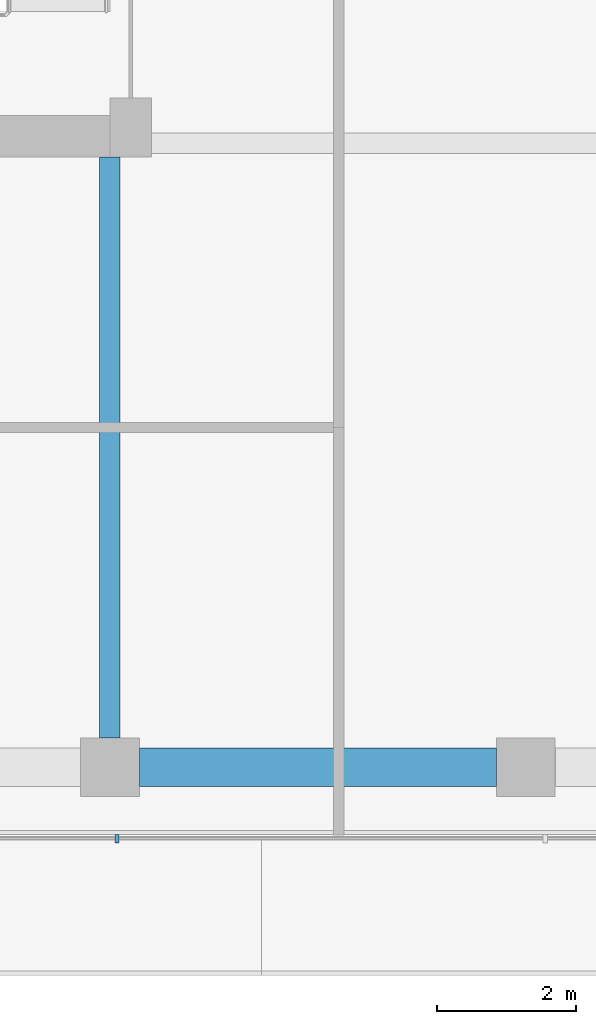
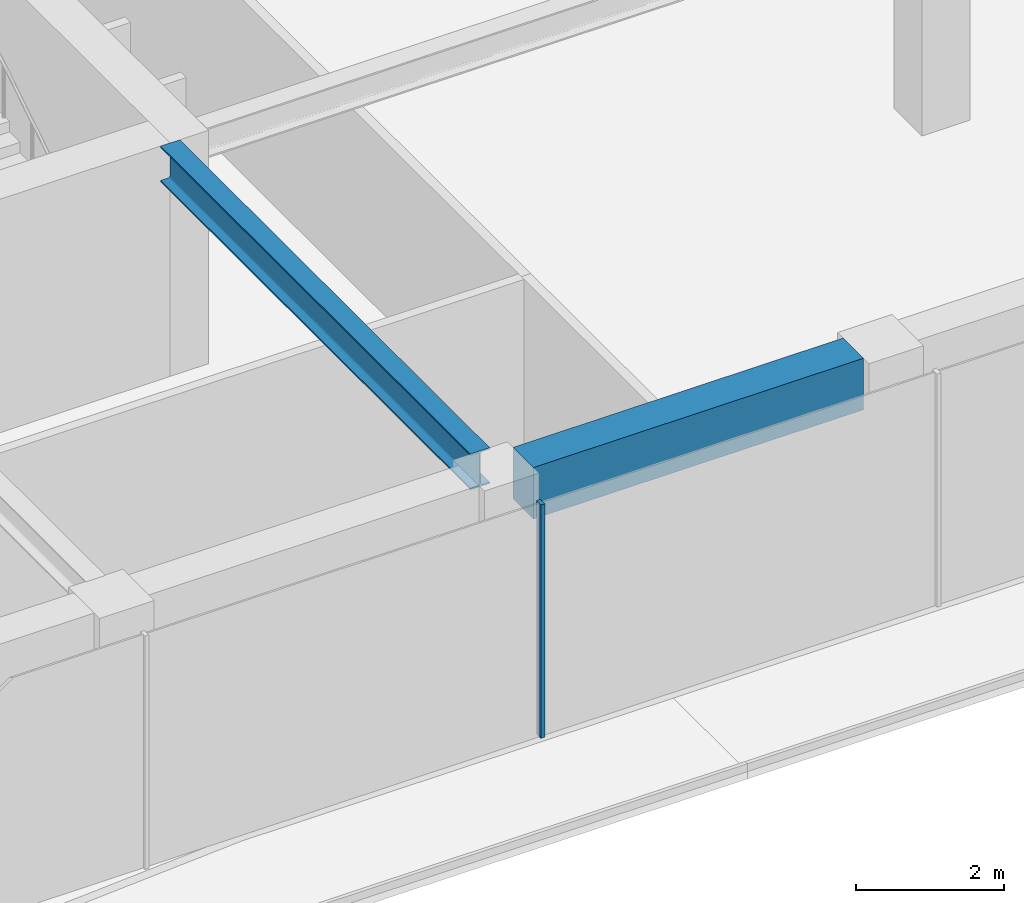
# One storey, part 4 of 23: 2 beams, 1 member, 1 element without a shape of its own.
"""IFC4 building model written with IfcOpenShell, lengths in metres."""

from ifc_helpers import new_model, si_unit, direction, frame, origin, origin_2d, place, context, subcontext, project, spatial, rectangle, i_section, extrude, material, layer, layer_set, material_profile, profile_set, type_object, element, aggregate, save


model = new_model("IFC4")

# Units and contexts
model_context = context("Model", 3, precision=1e-05, world=origin(), true_north=direction((0.0, 1.0)))
body_context = subcontext(model_context, "Body", "Model", "MODEL_VIEW")
ifc_project = project(units=[si_unit("LENGTHUNIT", "METRE"), si_unit("AREAUNIT", "SQUARE_METRE"), si_unit("VOLUMEUNIT", "CUBIC_METRE"), si_unit("PLANEANGLEUNIT", "RADIAN"), si_unit("MASSUNIT", "GRAM", prefix="KILO")], contexts=[model_context])

# Site, building, storey
site_placement = place(None, origin())
site = spatial("IfcSite", under=ifc_project, at=site_placement, CompositionType="ELEMENT")
building_placement = place(site_placement, origin())
building = spatial("IfcBuilding", under=site, at=building_placement, Name="Welwitschia Terrace Campus", CompositionType="ELEMENT")
storey_placement = place(building_placement, frame((0.0, 0.0, 188.60009765625)))
storey = spatial("IfcBuildingStorey", under=building, at=storey_placement, Name="L42", CompositionType="ELEMENT", Elevation=188.60009765625)

# Curtain wall, member
ifc_material_1 = material(Name="Bronze anodised aluminium", Category="aluminium")
ifc_layer = layer(ifc_material_1, 0.1201171875)
ifc_layer_set = layer_set([ifc_layer], Name="Bronze anodised aluminium")
curtain_wall_type = type_object("IfcCurtainWallType", Name="Curtain wall CW2 tower 6000", PredefinedType="NOTDEFINED", material=ifc_layer_set)
curtain_wall_placement = place(storey_placement, origin())
curtain_wall = element("IfcCurtainWall", 1, at=curtain_wall_placement, inside=storey, type_object=curtain_wall_type, Name="CW L42.3.0", PredefinedType="NOTDEFINED")
ifc_material_2 = material(Name="Bronze anodised aluminium", Category="aluminium")
ifc_material_profile_1 = material_profile(ifc_material_2, rectangle(XDim=0.1201171875, YDim=0.06005859375, at=origin_2d()))
ifc_profile_set_1 = profile_set([ifc_material_profile_1], Name="Bronze anodised aluminium")
member_type = type_object("IfcMemberType", Name="Mullion 60x120", PredefinedType="MULLION", material=ifc_profile_set_1)
member_placement = place(storey_placement, frame((24.103271484375, -5.030029296875, 0.0), z_axis=(0.0, 0.0, 1.0), x_axis=(0.0, 1.0, 0.0)))
member = element("IfcMember", 2, at=member_placement, type_object=member_type, Name="Mullion L42.3.0.3", PredefinedType="MULLION", context=body_context, shape_type="SweptSolid", body=[
    extrude(rectangle(XDim=0.1201171875, YDim=0.06005859375, at=origin_2d()), origin(), (0.0, 0.0, 1.0), 3.849853515625),
])
aggregate(curtain_wall, [member])

# Beams
ifc_material_3 = material(Name="Steel S355", Category="steel")
ifc_material_profile_2 = material_profile(ifc_material_3, i_section(OverallWidth=0.300048828125, OverallDepth=0.590087890625, WebThickness=0.012939453125, FlangeThickness=0.02490234375, FilletRadius=0.027099609375, at=origin_2d()))
ifc_profile_set_2 = profile_set([ifc_material_profile_2], Name="Steel S355")
beam_type_1 = type_object("IfcBeamType", Name="Primary beam HE 600 A", PredefinedType="BEAM", material=ifc_profile_set_2)
beam_1_placement = place(storey_placement, frame((24.0, -3.574462890625, 3.554931640625), z_axis=(0.0, 1.0, 0.0), x_axis=(-1.0, 0.0, 0.0)))
element("IfcBeam", 3, at=beam_1_placement, inside=storey, type_object=beam_type_1, Name="Primary beam PB4", PredefinedType="BEAM", context=body_context, shape_type="SweptSolid", body=[
    extrude(i_section(OverallWidth=0.300048828125, OverallDepth=0.590087890625, WebThickness=0.012939453125, FlangeThickness=0.02490234375, FilletRadius=0.027099609375, at=origin_2d()), origin(), (0.0, 0.0, 1.0), 8.37451171875),
])
ifc_material_4 = material(Name="Concrete C50/60", Category="concrete")
ifc_material_profile_3 = material_profile(ifc_material_4, rectangle(XDim=0.550048828125, YDim=0.85009765625, at=origin_2d()))
ifc_profile_set_3 = profile_set([ifc_material_profile_3], Name="Concrete C50/60")
beam_type_2 = type_object("IfcBeamType", Name="Ring spandrel 550x850", PredefinedType="SPANDREL", material=ifc_profile_set_3)
beam_2_placement = place(storey_placement, frame((24.425537109375, -4.0, 3.4248046875), z_axis=(1.0, 0.0, 0.0), x_axis=(0.0, 1.0, 0.0)))
element("IfcBeam", 4, at=beam_2_placement, inside=storey, type_object=beam_type_2, Name="Spandrel SP3", PredefinedType="SPANDREL", context=body_context, shape_type="SweptSolid", body=[
    extrude(rectangle(XDim=0.550048828125, YDim=0.85009765625, at=origin_2d()), origin(), (0.0, 0.0, 1.0), 5.14892578125),
])

save(model, "model.ifc")
